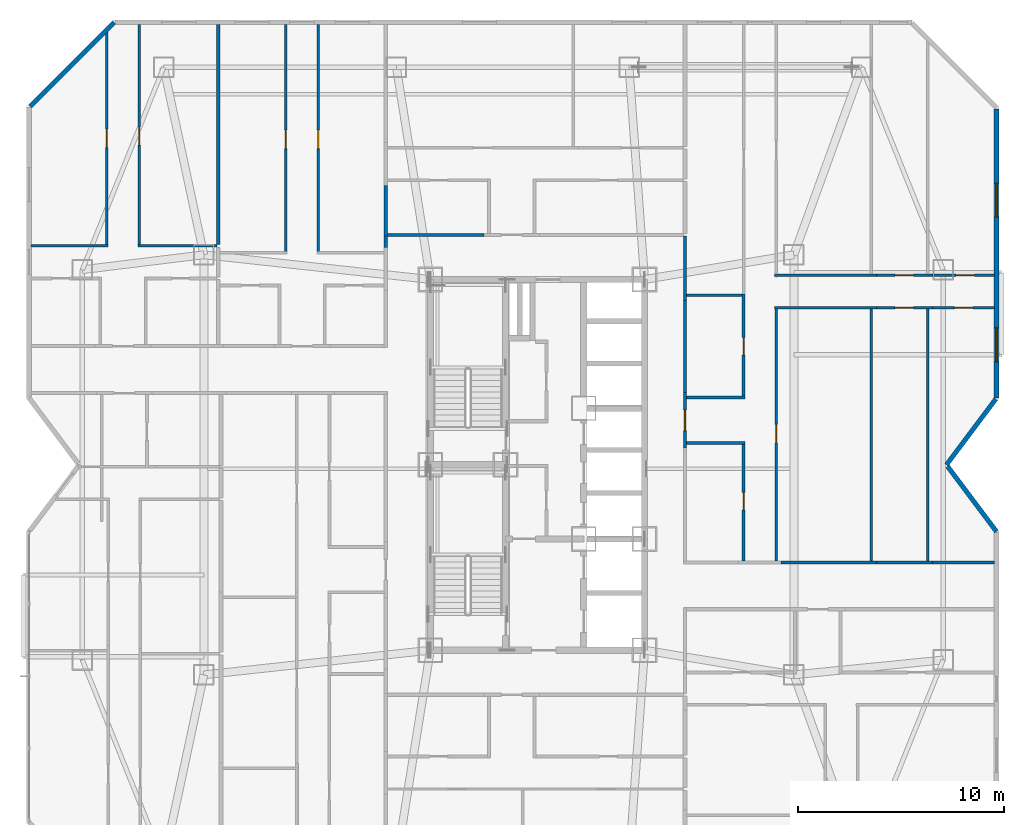
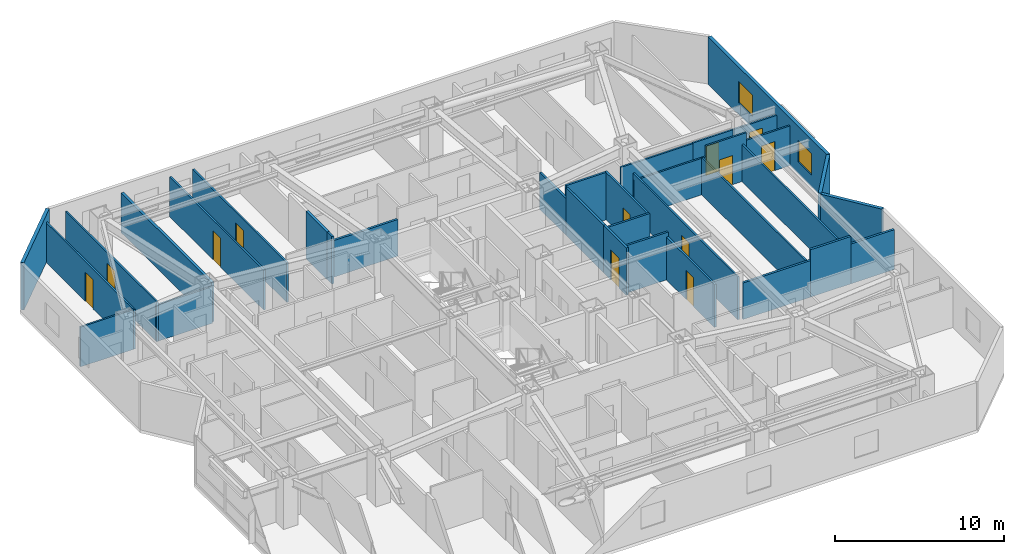
# One storey, part 15 of 18: 34 walls, 12 doors, 2 windows, 14 openings.
"""IFC4 building model written with IfcOpenShell, lengths in metres."""

from ifc_helpers import new_model, si_unit, direction, frame, frame_2d, origin, place, context, subcontext, project, spatial, rectangle, extrude, material, layer, layer_set, type_object, element, fill, save


model = new_model("IFC4")

# Units and contexts
model_context = context("Model", 3, precision=1e-05, world=origin(), true_north=direction((0.0, 1.0)))
body_context = subcontext(model_context, "Body", "Model", "MODEL_VIEW")
ifc_project = project(units=[si_unit("LENGTHUNIT", "METRE"), si_unit("AREAUNIT", "SQUARE_METRE"), si_unit("VOLUMEUNIT", "CUBIC_METRE"), si_unit("PLANEANGLEUNIT", "RADIAN"), si_unit("MASSUNIT", "GRAM", prefix="KILO")], contexts=[model_context])

# Site, building, storey
site_placement = place(None, origin())
site = spatial("IfcSite", under=ifc_project, at=site_placement, CompositionType="ELEMENT")
building_placement = place(site_placement, origin())
building = spatial("IfcBuilding", under=site, at=building_placement, Name="Khamvora Tower", CompositionType="ELEMENT")
storey_placement = place(building_placement, frame((0.0, 0.0, 109.199951171875)))
storey = spatial("IfcBuildingStorey", under=building, at=storey_placement, Name="L27", CompositionType="ELEMENT", Elevation=109.199951171875)

# Walls
ifc_material_1 = material(Name="Fire-Rated Drywall and Steel Stud", Category="steel")
ifc_layer_1 = layer(ifc_material_1, 0.14990234375)
ifc_layer_set_1 = layer_set([ifc_layer_1], Name="Fire-Rated Drywall and Steel Stud")
wall_type_1 = type_object("IfcWallType", Name="WAL-CORR-150", PredefinedType="STANDARD", material=ifc_layer_set_1)
wall_1_placement = place(storey_placement, frame((26.8349609375, 38.54296875, 0.0), z_axis=(0.0, 0.0, 1.0), x_axis=(0.0, 1.0, 0.0)))
element("IfcWall", 1, at=wall_1_placement, inside=storey, type_object=wall_type_1, Name="L27 interior partition wall 024", PredefinedType="STANDARD", context=body_context, shape_type="SweptSolid", body=[
    extrude(rectangle(XDim=0.55712890625, YDim=0.14990234375, at=frame_2d((0.278564453125, 0.0))), origin(), (0.0, 0.0, 1.0), 3.429931640625),
])
wall_2_placement = place(storey_placement, frame((26.89990234375, 39.1650390625, 0.0), z_axis=(0.0, 0.0, 1.0), x_axis=(1.0, 0.0, 0.0)))
element("IfcWall", 2, at=wall_2_placement, inside=storey, type_object=wall_type_1, Name="L27 interior partition wall 029", PredefinedType="STANDARD", context=body_context, shape_type="SweptSolid", body=[
    extrude(rectangle(XDim=4.701171875, YDim=0.14990234375, at=frame_2d((2.3505859375, 0.0))), origin(), (0.0, 0.0, 1.0), 2.64697265625),
])
wall_3_placement = place(storey_placement, frame((41.364990234375, 39.10009765625, 0.0), z_axis=(0.0, 0.0, 1.0), x_axis=(0.0, -1.0, 0.0)))
element("IfcWall", 3, at=wall_3_placement, inside=storey, type_object=wall_type_1, Name="L27 interior partition wall 036", PredefinedType="STANDARD", context=body_context, shape_type="SweptSolid", body=[
    extrude(rectangle(XDim=3.1181640625, YDim=0.14990234375, at=frame_2d((1.55908203125, 0.0))), origin(), (0.0, 0.0, 1.0), 2.64697265625),
])

# Wall, opening, door
wall_4_placement = place(storey_placement, frame((41.364990234375, 31.514892578125, 0.0), z_axis=(0.0, 0.0, 1.0), x_axis=(0.0, -1.0, 0.0)))
wall_4 = element("IfcWall", 4, at=wall_4_placement, inside=storey, type_object=wall_type_1, Name="L27 interior partition wall 037", PredefinedType="STANDARD", context=body_context, shape_type="SweptSolid", body=[
    extrude(rectangle(XDim=2.697998046875, YDim=0.14990234375, at=frame_2d((1.34912109375, 0.0))), origin(), (0.0, 0.0, 1.0), 3.429931640625),
])
opening_1_placement = place(wall_4_placement, frame((0.84912109375, 0.0, 0.0)))
opening_1 = element("IfcOpeningElement", 5, at=opening_1_placement, cuts=wall_4, Name="Opening D-U1", PredefinedType="OPENING", context=body_context, shape_type="SweptSolid", body=[
    extrude(rectangle(XDim=1.0, YDim=2.14990234375, at=frame_2d((0.5, 1.074951171875))), frame((0.0, 0.0849609375, 0.0), z_axis=(0.0, -1.0, 0.0), x_axis=(1.0, 0.0, 0.0)), (0.0, 0.0, 1.0), 0.169921875),
])
ifc_material_2 = material(Name="Powder-Coated Steel and Hardwood Leaf", Category="steel")
door_type_1 = type_object("IfcDoorType", Name="DOR-UNIT-1000", OperationType="NOTDEFINED", PredefinedType="DOOR", material=ifc_material_2)
door_1_placement = place(opening_1_placement, origin())
door_1 = element("IfcDoor", 6, at=door_1_placement, inside=storey, type_object=door_type_1, Name="L27 interior door COR-27EBH", OperationType="SINGLE_SWING_RIGHT", OverallHeight=2.14990234375, OverallWidth=1.0, PredefinedType="DOOR", context=body_context, shape_type="SweptSolid", body=[
    extrude(rectangle(XDim=1.0, YDim=2.14990234375, at=frame_2d((0.5, 1.074951171875))), frame((0.0, 0.02490234375, 0.0), z_axis=(0.0, -1.0, 0.0), x_axis=(1.0, 0.0, 0.0)), (0.0, 0.0, 1.0), 0.050048828125),
])
fill(opening_1, door_1)

# Walls
wall_5_placement = place(storey_placement, frame((41.364990234375, 35.98193359375, 0.0), z_axis=(0.0, 0.0, 1.0), x_axis=(0.0, -1.0, 0.0)))
element("IfcWall", 7, at=wall_5_placement, inside=storey, type_object=wall_type_1, Name="L27 interior partition wall 039", PredefinedType="STANDARD", context=body_context, shape_type="SweptSolid", body=[
    extrude(rectangle(XDim=4.467041015625, YDim=0.14990234375, at=frame_2d((2.2333984375, 0.0))), origin(), (0.0, 0.0, 1.0), 3.429931640625),
])
wall_6_placement = place(storey_placement, frame((46.034912109375, 23.264892578125, 0.0), z_axis=(0.0, 0.0, 1.0), x_axis=(1.0, 0.0, 0.0)))
element("IfcWall", 8, at=wall_6_placement, inside=storey, type_object=wall_type_1, Name="L27 interior partition wall 042", PredefinedType="STANDARD", context=body_context, shape_type="SweptSolid", body=[
    extrude(rectangle(XDim=4.6171875, YDim=0.14990234375, at=frame_2d((2.30859375, 0.0))), origin(), (0.0, 0.0, 1.0), 2.64697265625),
])
wall_7_placement = place(storey_placement, frame((50.652099609375, 23.264892578125, 0.0), z_axis=(0.0, 0.0, 1.0), x_axis=(1.0, 0.0, 0.0)))
element("IfcWall", 9, at=wall_7_placement, inside=storey, type_object=wall_type_1, Name="L27 interior partition wall 043", PredefinedType="STANDARD", context=body_context, shape_type="SweptSolid", body=[
    extrude(rectangle(XDim=2.741943359375, YDim=0.14990234375, at=frame_2d((1.37109375, 0.0))), origin(), (0.0, 0.0, 1.0), 3.429931640625),
])
wall_8_placement = place(storey_placement, frame((53.39404296875, 23.264892578125, 0.0), z_axis=(0.0, 0.0, 1.0), x_axis=(1.0, 0.0, 0.0)))
element("IfcWall", 10, at=wall_8_placement, inside=storey, type_object=wall_type_1, Name="L27 interior partition wall 044", PredefinedType="STANDARD", context=body_context, shape_type="SweptSolid", body=[
    extrude(rectangle(XDim=2.993896484375, YDim=0.14990234375, at=frame_2d((1.4970703125, 0.0))), origin(), (0.0, 0.0, 1.0), 2.8759765625),
])
ifc_material_3 = material(Name="Acoustic Double-Stud Fire Wall", Category="gypsum")
ifc_layer_2 = layer(ifc_material_3, 0.179931640625)
ifc_layer_set_2 = layer_set([ifc_layer_2], Name="Acoustic Double-Stud Fire Wall")
wall_type_2 = type_object("IfcWallType", Name="WAL-CORR-180", PredefinedType="STANDARD", material=ifc_layer_set_2)
wall_9_placement = place(storey_placement, frame((18.705078125, 49.387939453125, 0.0), z_axis=(0.0, 0.0, 1.0), x_axis=(0.0, -1.0, 0.0)))
element("IfcWall", 11, at=wall_9_placement, inside=storey, type_object=wall_type_2, Name="L27 interior partition wall 088", PredefinedType="STANDARD", context=body_context, shape_type="SweptSolid", body=[
    extrude(rectangle(XDim=10.68896484375, YDim=0.179931640625, at=frame_2d((5.344482421875, 0.0))), origin(), (0.0, 0.0, 1.0), 2.8759765625),
])
wall_10_placement = place(storey_placement, frame((26.8349609375, 41.572998046875, 0.0), z_axis=(0.0, 0.0, 1.0), x_axis=(0.0, -1.0, 0.0)))
element("IfcWall", 12, at=wall_10_placement, inside=storey, type_object=wall_type_2, Name="L27 interior partition wall 098", PredefinedType="STANDARD", context=body_context, shape_type="SweptSolid", body=[
    extrude(rectangle(XDim=2.472900390625, YDim=0.179931640625, at=frame_2d((1.236328125, 0.0))), origin(), (0.0, 0.0, 1.0), 3.429931640625),
])
ifc_material_4 = material(Name="Precast concrete C40/50", Category="concrete")
ifc_layer_3 = layer(ifc_material_4, 0.219970703125)
ifc_layer_set_3 = layer_set([ifc_layer_3], Name="Precast concrete C40/50")
wall_type_3 = type_object("IfcWallType", Name="WAL-EXT-220", PredefinedType="STANDARD", material=ifc_layer_set_3)
wall_11_placement = place(storey_placement, frame((9.55810546875, 45.402099609375, 0.0), z_axis=(0.0, 0.0, 1.0), x_axis=(0.707106781187, 0.707106781187, 0.0)))
element("IfcWall", 13, at=wall_11_placement, inside=storey, type_object=wall_type_3, Name="L27 exterior facade wall 06.1", PredefinedType="STANDARD", context=body_context, shape_type="SweptSolid", body=[
    extrude(rectangle(XDim=5.78125, YDim=0.219970703125, at=frame_2d((2.890625, 0.0))), origin(), (0.0, 0.0, 1.0), 3.429931640625),
])

# Wall, openings, windows
wall_12_placement = place(storey_placement, frame((56.489990234375, 45.282958984375, 0.0), z_axis=(0.0, 0.0, 1.0), x_axis=(0.0, -1.0, 0.0)))
wall_12 = element("IfcWall", 14, at=wall_12_placement, inside=storey, type_object=wall_type_3, Name="L27 exterior facade wall 09.1", PredefinedType="STANDARD", context=body_context, shape_type="SweptSolid", body=[
    extrude(rectangle(XDim=14.0458984375, YDim=0.219970703125, at=frame_2d((7.02294921875, 0.0))), origin(), (0.0, 0.0, 1.0), 3.429931640625),
])
opening_2_placement = place(wall_12_placement, frame((10.635009765625, 0.0, 0.85009765625)))
opening_2 = element("IfcOpeningElement", 15, at=opening_2_placement, cuts=wall_12, Name="Opening WN-06", PredefinedType="OPENING", context=body_context, shape_type="SweptSolid", body=[
    extrude(rectangle(XDim=1.64990234375, YDim=1.550048828125, at=frame_2d((0.824951171875, 0.77490234375))), frame((0.0, 0.119873046875, 0.0), z_axis=(0.0, -1.0, 0.0), x_axis=(1.0, 0.0, 0.0)), (0.0, 0.0, 1.0), 0.239990234375),
])
opening_3_placement = place(wall_12_placement, frame((3.611083984375, 0.0, 0.85009765625)))
opening_3 = element("IfcOpeningElement", 16, at=opening_3_placement, cuts=wall_12, Name="Opening WN-06", PredefinedType="OPENING", context=body_context, shape_type="SweptSolid", body=[
    extrude(rectangle(XDim=1.64990234375, YDim=1.550048828125, at=frame_2d((0.824951171875, 0.77490234375))), frame((0.0, 0.119873046875, 0.0), z_axis=(0.0, -1.0, 0.0), x_axis=(1.0, 0.0, 0.0)), (0.0, 0.0, 1.0), 0.239990234375),
])
ifc_material_5 = material(Name="Low-E Laminated Double Glazing", Category="glass")
window_type = type_object("IfcWindowType", Name="WIN-VIS-1650x1550", PartitioningType="SINGLE_PANEL", PredefinedType="WINDOW", material=ifc_material_5)
window_1_placement = place(opening_2_placement, origin())
window_1 = element("IfcWindow", 17, at=window_1_placement, inside=storey, type_object=window_type, Name="L27 vision window 09.1.01", OverallHeight=1.550048828125, OverallWidth=1.64990234375, PartitioningType="SINGLE_PANEL", PredefinedType="WINDOW", context=body_context, shape_type="SweptSolid", body=[
    extrude(rectangle(XDim=1.64990234375, YDim=1.550048828125, at=frame_2d((0.824951171875, 0.77490234375))), frame((0.0, 0.030029296875, 0.0), z_axis=(0.0, -1.0, 0.0), x_axis=(1.0, 0.0, 0.0)), (0.0, 0.0, 1.0), 0.06005859375),
])
fill(opening_2, window_1)
window_2_placement = place(opening_3_placement, origin())
window_2 = element("IfcWindow", 18, at=window_2_placement, inside=storey, type_object=window_type, Name="L27 vision window 09.1.02", OverallHeight=1.550048828125, OverallWidth=1.64990234375, PartitioningType="SINGLE_PANEL", PredefinedType="WINDOW", context=body_context, shape_type="SweptSolid", body=[
    extrude(rectangle(XDim=1.64990234375, YDim=1.550048828125, at=frame_2d((0.824951171875, 0.77490234375))), frame((0.0, 0.030029296875, 0.0), z_axis=(0.0, -1.0, 0.0), x_axis=(1.0, 0.0, 0.0)), (0.0, 0.0, 1.0), 0.06005859375),
])
fill(opening_3, window_2)

# Walls
wall_13_placement = place(storey_placement, frame((56.4560546875, 31.19091796875, 0.0), z_axis=(0.0, 0.0, 1.0), x_axis=(-0.600137081448, -0.799897170561, 0.0)))
element("IfcWall", 19, at=wall_13_placement, inside=storey, type_object=wall_type_3, Name="L27 exterior facade wall 10.1", PredefinedType="STANDARD", context=body_context, shape_type="SweptSolid", body=[
    extrude(rectangle(XDim=3.9892578125, YDim=0.219970703125, at=frame_2d((1.99462890625, 0.0))), origin(), (0.0, 0.0, 1.0), 3.429931640625),
])
wall_14_placement = place(storey_placement, frame((54.118896484375, 27.924072265625, 0.0), z_axis=(0.0, 0.0, 1.0), x_axis=(0.600039540588, -0.799970343032, 0.0)))
element("IfcWall", 20, at=wall_14_placement, inside=storey, type_object=wall_type_3, Name="L27 exterior facade wall 11.1", PredefinedType="STANDARD", context=body_context, shape_type="SweptSolid", body=[
    extrude(rectangle(XDim=3.95166015625, YDim=0.219970703125, at=frame_2d((1.975830078125, 0.0))), origin(), (0.0, 0.0, 1.0), 3.429931640625),
])
ifc_material_6 = material(Name="Gypsum Plasterboard Partition", Category="gypsum")
ifc_layer_4 = layer(ifc_material_6, 0.1201171875)
ifc_layer_set_4 = layer_set([ifc_layer_4], Name="Gypsum Plasterboard Partition")
wall_type_4 = type_object("IfcWallType", Name="WAL-PART-120", PredefinedType="PARTITIONING", material=ifc_layer_set_4)
wall_15_placement = place(storey_placement, frame((9.612060546875, 38.634033203125, 0.0), z_axis=(0.0, 0.0, 1.0), x_axis=(1.0, 0.0, 0.0)))
element("IfcWall", 21, at=wall_15_placement, inside=storey, type_object=wall_type_4, Name="L27 interior partition wall 081", PredefinedType="PARTITIONING", context=body_context, shape_type="SweptSolid", body=[
    extrude(rectangle(XDim=3.742919921875, YDim=0.1201171875, at=frame_2d((1.87158203125, 0.0))), origin(), (0.0, 0.0, 1.0), 2.8759765625),
])

# Wall, opening, door
wall_16_placement = place(storey_placement, frame((13.2900390625, 38.569091796875, 0.0), z_axis=(0.0, 0.0, 1.0), x_axis=(0.0, 1.0, 0.0)))
wall_16 = element("IfcWall", 22, at=wall_16_placement, inside=storey, type_object=wall_type_4, Name="L27 interior partition wall 082", PredefinedType="PARTITIONING", context=body_context, shape_type="SweptSolid", body=[
    extrude(rectangle(XDim=10.573974609375, YDim=0.1201171875, at=frame_2d((5.287109375, 0.0))), origin(), (0.0, 0.0, 1.0), 2.8759765625),
])
opening_4_placement = place(wall_16_placement, frame((4.8369140625, 0.0, 0.0)))
opening_4 = element("IfcOpeningElement", 23, at=opening_4_placement, cuts=wall_16, Name="Opening D-RM1", PredefinedType="OPENING", context=body_context, shape_type="SweptSolid", body=[
    extrude(rectangle(XDim=0.89990234375, YDim=2.10009765625, at=frame_2d((0.449951171875, 1.050048828125))), frame((0.0, 0.070068359375, 0.0), z_axis=(0.0, -1.0, 0.0), x_axis=(1.0, 0.0, 0.0)), (0.0, 0.0, 1.0), 0.14013671875),
])
door_type_2 = type_object("IfcDoorType", Name="DOR-ROOM-900", OperationType="NOTDEFINED", PredefinedType="DOOR", material=ifc_material_2)
door_2_placement = place(opening_4_placement, origin())
door_2 = element("IfcDoor", 24, at=door_2_placement, inside=storey, type_object=door_type_2, Name="L27 interior door 27WBH-27WBL", OperationType="SINGLE_SWING_LEFT", OverallHeight=2.10009765625, OverallWidth=0.89990234375, PredefinedType="DOOR", context=body_context, shape_type="SweptSolid", body=[
    extrude(rectangle(XDim=0.89990234375, YDim=2.10009765625, at=frame_2d((0.449951171875, 1.050048828125))), frame((0.0, 0.02490234375, 0.0), z_axis=(0.0, -1.0, 0.0), x_axis=(1.0, 0.0, 0.0)), (0.0, 0.0, 1.0), 0.050048828125),
])
fill(opening_4, door_2)

wall_17_placement = place(storey_placement, frame((14.860107421875, 49.387939453125, 0.0), z_axis=(0.0, 0.0, 1.0), x_axis=(0.0, -1.0, 0.0)))
wall_17 = element("IfcWall", 25, at=wall_17_placement, inside=storey, type_object=wall_type_4, Name="L27 interior partition wall 083", PredefinedType="PARTITIONING", context=body_context, shape_type="SweptSolid", body=[
    extrude(rectangle(XDim=10.81884765625, YDim=0.1201171875, at=frame_2d((5.409423828125, 0.0))), origin(), (0.0, 0.0, 1.0), 2.8759765625),
])
opening_5_placement = place(wall_17_placement, frame((4.9599609375, 0.0, 0.0)))
opening_5 = element("IfcOpeningElement", 26, at=opening_5_placement, cuts=wall_17, Name="Opening D-RM1", PredefinedType="OPENING", context=body_context, shape_type="SweptSolid", body=[
    extrude(rectangle(XDim=0.89990234375, YDim=2.10009765625, at=frame_2d((0.449951171875, 1.050048828125))), frame((0.0, 0.070068359375, 0.0), z_axis=(0.0, -1.0, 0.0), x_axis=(1.0, 0.0, 0.0)), (0.0, 0.0, 1.0), 0.14013671875),
])
door_3_placement = place(opening_5_placement, origin())
door_3 = element("IfcDoor", 27, at=door_3_placement, inside=storey, type_object=door_type_2, Name="L27 interior door 27WBH-27WBR2", OperationType="SINGLE_SWING_RIGHT", OverallHeight=2.10009765625, OverallWidth=0.89990234375, PredefinedType="DOOR", context=body_context, shape_type="SweptSolid", body=[
    extrude(rectangle(XDim=0.89990234375, YDim=2.10009765625, at=frame_2d((0.449951171875, 1.050048828125))), frame((0.0, 0.02490234375, 0.0), z_axis=(0.0, -1.0, 0.0), x_axis=(1.0, 0.0, 0.0)), (0.0, 0.0, 1.0), 0.050048828125),
])
fill(opening_5, door_3)

# Wall
wall_18_placement = place(storey_placement, frame((14.794921875, 38.634033203125, 0.0), z_axis=(0.0, 0.0, 1.0), x_axis=(1.0, 0.0, 0.0)))
element("IfcWall", 28, at=wall_18_placement, inside=storey, type_object=wall_type_4, Name="L27 interior partition wall 084", PredefinedType="PARTITIONING", context=body_context, shape_type="SweptSolid", body=[
    extrude(rectangle(XDim=3.844970703125, YDim=0.1201171875, at=frame_2d((1.92236328125, 0.0))), origin(), (0.0, 0.0, 1.0), 2.64697265625),
])

# Wall, opening, door
wall_19_placement = place(storey_placement, frame((21.985107421875, 38.22900390625, 0.0), z_axis=(0.0, 0.0, 1.0), x_axis=(0.0, 1.0, 0.0)))
wall_19 = element("IfcWall", 29, at=wall_19_placement, inside=storey, type_object=wall_type_4, Name="L27 interior partition wall 094", PredefinedType="PARTITIONING", context=body_context, shape_type="SweptSolid", body=[
    extrude(rectangle(XDim=11.158935546875, YDim=0.1201171875, at=frame_2d((5.57958984375, 0.0))), origin(), (0.0, 0.0, 1.0), 2.8759765625),
])
opening_6_placement = place(wall_19_placement, frame((5.1298828125, 0.0, 0.0)))
opening_6 = element("IfcOpeningElement", 30, at=opening_6_placement, cuts=wall_19, Name="Opening D-RM1", PredefinedType="OPENING", context=body_context, shape_type="SweptSolid", body=[
    extrude(rectangle(XDim=0.89990234375, YDim=2.10009765625, at=frame_2d((0.449951171875, 1.050048828125))), frame((0.0, 0.070068359375, 0.0), z_axis=(0.0, -1.0, 0.0), x_axis=(1.0, 0.0, 0.0)), (0.0, 0.0, 1.0), 0.14013671875),
])
door_4_placement = place(opening_6_placement, origin())
door_4 = element("IfcDoor", 31, at=door_4_placement, inside=storey, type_object=door_type_2, Name="L27 interior door 27WCH-27WCR1", OperationType="SINGLE_SWING_LEFT", OverallHeight=2.10009765625, OverallWidth=0.89990234375, PredefinedType="DOOR", context=body_context, shape_type="SweptSolid", body=[
    extrude(rectangle(XDim=0.89990234375, YDim=2.10009765625, at=frame_2d((0.449951171875, 1.050048828125))), frame((0.0, 0.02490234375, 0.0), z_axis=(0.0, -1.0, 0.0), x_axis=(1.0, 0.0, 0.0)), (0.0, 0.0, 1.0), 0.050048828125),
])
fill(opening_6, door_4)

wall_20_placement = place(storey_placement, frame((23.554931640625, 49.387939453125, 0.0), z_axis=(0.0, 0.0, 1.0), x_axis=(0.0, -1.0, 0.0)))
wall_20 = element("IfcWall", 32, at=wall_20_placement, inside=storey, type_object=wall_type_4, Name="L27 interior partition wall 095", PredefinedType="PARTITIONING", context=body_context, shape_type="SweptSolid", body=[
    extrude(rectangle(XDim=11.158935546875, YDim=0.1201171875, at=frame_2d((5.57958984375, 0.0))), origin(), (0.0, 0.0, 1.0), 2.8759765625),
])
opening_7_placement = place(wall_20_placement, frame((5.1298828125, 0.0, 0.0)))
opening_7 = element("IfcOpeningElement", 33, at=opening_7_placement, cuts=wall_20, Name="Opening D-RM1", PredefinedType="OPENING", context=body_context, shape_type="SweptSolid", body=[
    extrude(rectangle(XDim=0.89990234375, YDim=2.10009765625, at=frame_2d((0.449951171875, 1.050048828125))), frame((0.0, 0.070068359375, 0.0), z_axis=(0.0, -1.0, 0.0), x_axis=(1.0, 0.0, 0.0)), (0.0, 0.0, 1.0), 0.14013671875),
])
door_5_placement = place(opening_7_placement, origin())
door_5 = element("IfcDoor", 34, at=door_5_placement, inside=storey, type_object=door_type_2, Name="L27 interior door 27WCH-27WCR2", OperationType="SINGLE_SWING_RIGHT", OverallHeight=2.10009765625, OverallWidth=0.89990234375, PredefinedType="DOOR", context=body_context, shape_type="SweptSolid", body=[
    extrude(rectangle(XDim=0.89990234375, YDim=2.10009765625, at=frame_2d((0.449951171875, 1.050048828125))), frame((0.0, 0.02490234375, 0.0), z_axis=(0.0, -1.0, 0.0), x_axis=(1.0, 0.0, 0.0)), (0.0, 0.0, 1.0), 0.050048828125),
])
fill(opening_7, door_5)

wall_21_placement = place(storey_placement, frame((45.785888671875, 35.68994140625, 0.0), z_axis=(0.0, 0.0, 1.0), x_axis=(0.0, -1.0, 0.0)))
wall_21 = element("IfcWall", 35, at=wall_21_placement, inside=storey, type_object=wall_type_4, Name="L27 interior partition wall 138", PredefinedType="PARTITIONING", context=body_context, shape_type="SweptSolid", body=[
    extrude(rectangle(XDim=12.35791015625, YDim=0.1201171875, at=frame_2d((6.178955078125, 0.0))), origin(), (0.0, 0.0, 1.0), 3.10693359375),
])
opening_8_placement = place(wall_21_placement, frame((5.72900390625, 0.0, 0.0)))
opening_8 = element("IfcOpeningElement", 36, at=opening_8_placement, cuts=wall_21, Name="Opening D-RM1", PredefinedType="OPENING", context=body_context, shape_type="SweptSolid", body=[
    extrude(rectangle(XDim=0.89990234375, YDim=2.10009765625, at=frame_2d((0.449951171875, 1.050048828125))), frame((0.0, 0.070068359375, 0.0), z_axis=(0.0, -1.0, 0.0), x_axis=(1.0, 0.0, 0.0)), (0.0, 0.0, 1.0), 0.14013671875),
])
door_6_placement = place(opening_8_placement, origin())
door_6 = element("IfcDoor", 37, at=door_6_placement, inside=storey, type_object=door_type_2, Name="L27 interior door 27EBH-27EBR1", OperationType="SINGLE_SWING_LEFT", OverallHeight=2.10009765625, OverallWidth=0.89990234375, PredefinedType="DOOR", context=body_context, shape_type="SweptSolid", body=[
    extrude(rectangle(XDim=0.89990234375, YDim=2.10009765625, at=frame_2d((0.449951171875, 1.050048828125))), frame((0.0, 0.02490234375, 0.0), z_axis=(0.0, -1.0, 0.0), x_axis=(1.0, 0.0, 0.0)), (0.0, 0.0, 1.0), 0.050048828125),
])
fill(opening_8, door_6)

# Wall
wall_22_placement = place(storey_placement, frame((50.652099609375, 35.625, 0.0), z_axis=(0.0, 0.0, 1.0), x_axis=(-1.0, 0.0, 0.0)))
element("IfcWall", 38, at=wall_22_placement, inside=storey, type_object=wall_type_4, Name="L27 interior partition wall 139", PredefinedType="PARTITIONING", context=body_context, shape_type="SweptSolid", body=[
    extrude(rectangle(XDim=4.93115234375, YDim=0.1201171875, at=frame_2d((2.465576171875, 0.0))), origin(), (0.0, 0.0, 1.0), 2.64697265625),
])

# Wall, opening, door
wall_23_placement = place(storey_placement, frame((53.39404296875, 35.625, 0.0), z_axis=(0.0, 0.0, 1.0), x_axis=(-1.0, 0.0, 0.0)))
wall_23 = element("IfcWall", 39, at=wall_23_placement, inside=storey, type_object=wall_type_4, Name="L27 interior partition wall 140", PredefinedType="PARTITIONING", context=body_context, shape_type="SweptSolid", body=[
    extrude(rectangle(XDim=2.741943359375, YDim=0.1201171875, at=frame_2d((1.37109375, 0.0))), origin(), (0.0, 0.0, 1.0), 3.429931640625),
])
opening_9_placement = place(wall_23_placement, frame((0.94189453125, 0.0, 0.0)))
opening_9 = element("IfcOpeningElement", 40, at=opening_9_placement, cuts=wall_23, Name="Opening D-RM1", PredefinedType="OPENING", context=body_context, shape_type="SweptSolid", body=[
    extrude(rectangle(XDim=0.89990234375, YDim=2.10009765625, at=frame_2d((0.449951171875, 1.050048828125))), frame((0.0, 0.070068359375, 0.0), z_axis=(0.0, -1.0, 0.0), x_axis=(1.0, 0.0, 0.0)), (0.0, 0.0, 1.0), 0.14013671875),
])
door_7_placement = place(opening_9_placement, origin())
door_7 = element("IfcDoor", 41, at=door_7_placement, inside=storey, type_object=door_type_2, Name="L27 interior door 27EBH-27EBR2", OperationType="SINGLE_SWING_RIGHT", OverallHeight=2.10009765625, OverallWidth=0.89990234375, PredefinedType="DOOR", context=body_context, shape_type="SweptSolid", body=[
    extrude(rectangle(XDim=0.89990234375, YDim=2.10009765625, at=frame_2d((0.449951171875, 1.050048828125))), frame((0.0, 0.02490234375, 0.0), z_axis=(0.0, -1.0, 0.0), x_axis=(1.0, 0.0, 0.0)), (0.0, 0.0, 1.0), 0.050048828125),
])
fill(opening_9, door_7)

wall_24_placement = place(storey_placement, frame((56.387939453125, 35.625, 0.0), z_axis=(0.0, 0.0, 1.0), x_axis=(-1.0, 0.0, 0.0)))
wall_24 = element("IfcWall", 42, at=wall_24_placement, inside=storey, type_object=wall_type_4, Name="L27 interior partition wall 141", PredefinedType="PARTITIONING", context=body_context, shape_type="SweptSolid", body=[
    extrude(rectangle(XDim=2.993896484375, YDim=0.1201171875, at=frame_2d((1.4970703125, 0.0))), origin(), (0.0, 0.0, 1.0), 2.8759765625),
])
opening_10_placement = place(wall_24_placement, frame((1.047119140625, 0.0, 0.0)))
opening_10 = element("IfcOpeningElement", 43, at=opening_10_placement, cuts=wall_24, Name="Opening D-RM1", PredefinedType="OPENING", context=body_context, shape_type="SweptSolid", body=[
    extrude(rectangle(XDim=0.89990234375, YDim=2.10009765625, at=frame_2d((0.449951171875, 1.050048828125))), frame((0.0, 0.070068359375, 0.0), z_axis=(0.0, -1.0, 0.0), x_axis=(1.0, 0.0, 0.0)), (0.0, 0.0, 1.0), 0.14013671875),
])
door_8_placement = place(opening_10_placement, origin())
door_8 = element("IfcDoor", 44, at=door_8_placement, inside=storey, type_object=door_type_2, Name="L27 interior door 27EBH-27EBR3", OperationType="SINGLE_SWING_LEFT", OverallHeight=2.10009765625, OverallWidth=0.89990234375, PredefinedType="DOOR", context=body_context, shape_type="SweptSolid", body=[
    extrude(rectangle(XDim=0.89990234375, YDim=2.10009765625, at=frame_2d((0.449951171875, 1.050048828125))), frame((0.0, 0.02490234375, 0.0), z_axis=(0.0, -1.0, 0.0), x_axis=(1.0, 0.0, 0.0)), (0.0, 0.0, 1.0), 0.050048828125),
])
fill(opening_10, door_8)

# Wall
wall_25_placement = place(storey_placement, frame((45.720947265625, 37.195068359375, 0.0), z_axis=(0.0, 0.0, 1.0), x_axis=(1.0, 0.0, 0.0)))
element("IfcWall", 45, at=wall_25_placement, inside=storey, type_object=wall_type_4, Name="L27 interior partition wall 143", PredefinedType="PARTITIONING", context=body_context, shape_type="SweptSolid", body=[
    extrude(rectangle(XDim=4.93115234375, YDim=0.1201171875, at=frame_2d((2.465576171875, 0.0))), origin(), (0.0, 0.0, 1.0), 2.64697265625),
])

# Wall, opening, door
wall_26_placement = place(storey_placement, frame((50.652099609375, 37.195068359375, 0.0), z_axis=(0.0, 0.0, 1.0), x_axis=(1.0, 0.0, 0.0)))
wall_26 = element("IfcWall", 46, at=wall_26_placement, inside=storey, type_object=wall_type_4, Name="L27 interior partition wall 144", PredefinedType="PARTITIONING", context=body_context, shape_type="SweptSolid", body=[
    extrude(rectangle(XDim=2.741943359375, YDim=0.1201171875, at=frame_2d((1.37109375, 0.0))), origin(), (0.0, 0.0, 1.0), 2.68701171875),
])
opening_11_placement = place(wall_26_placement, frame((0.89990234375, 0.0, 0.0)))
opening_11 = element("IfcOpeningElement", 47, at=opening_11_placement, cuts=wall_26, Name="Opening D-RM1", PredefinedType="OPENING", context=body_context, shape_type="SweptSolid", body=[
    extrude(rectangle(XDim=0.89990234375, YDim=2.10009765625, at=frame_2d((0.449951171875, 1.050048828125))), frame((0.0, 0.070068359375, 0.0), z_axis=(0.0, -1.0, 0.0), x_axis=(1.0, 0.0, 0.0)), (0.0, 0.0, 1.0), 0.14013671875),
])
door_9_placement = place(opening_11_placement, origin())
door_9 = element("IfcDoor", 48, at=door_9_placement, inside=storey, type_object=door_type_2, Name="L27 interior door 27EBH-27EBR5", OperationType="SINGLE_SWING_LEFT", OverallHeight=2.10009765625, OverallWidth=0.89990234375, PredefinedType="DOOR", context=body_context, shape_type="SweptSolid", body=[
    extrude(rectangle(XDim=0.89990234375, YDim=2.10009765625, at=frame_2d((0.449951171875, 1.050048828125))), frame((0.0, 0.02490234375, 0.0), z_axis=(0.0, -1.0, 0.0), x_axis=(1.0, 0.0, 0.0)), (0.0, 0.0, 1.0), 0.050048828125),
])
fill(opening_11, door_9)

wall_27_placement = place(storey_placement, frame((53.39404296875, 37.195068359375, 0.0), z_axis=(0.0, 0.0, 1.0), x_axis=(1.0, 0.0, 0.0)))
wall_27 = element("IfcWall", 49, at=wall_27_placement, inside=storey, type_object=wall_type_4, Name="L27 interior partition wall 145", PredefinedType="PARTITIONING", context=body_context, shape_type="SweptSolid", body=[
    extrude(rectangle(XDim=2.993896484375, YDim=0.1201171875, at=frame_2d((1.4970703125, 0.0))), origin(), (0.0, 0.0, 1.0), 2.68701171875),
])
opening_12_placement = place(wall_27_placement, frame((1.123046875, 0.0, 0.0)))
opening_12 = element("IfcOpeningElement", 50, at=opening_12_placement, cuts=wall_27, Name="Opening D-RM1", PredefinedType="OPENING", context=body_context, shape_type="SweptSolid", body=[
    extrude(rectangle(XDim=0.89990234375, YDim=2.10009765625, at=frame_2d((0.449951171875, 1.050048828125))), frame((0.0, 0.070068359375, 0.0), z_axis=(0.0, -1.0, 0.0), x_axis=(1.0, 0.0, 0.0)), (0.0, 0.0, 1.0), 0.14013671875),
])
door_10_placement = place(opening_12_placement, origin())
door_10 = element("IfcDoor", 51, at=door_10_placement, inside=storey, type_object=door_type_2, Name="L27 interior door 27EBH-27EBR6", OperationType="SINGLE_SWING_RIGHT", OverallHeight=2.10009765625, OverallWidth=0.89990234375, PredefinedType="DOOR", context=body_context, shape_type="SweptSolid", body=[
    extrude(rectangle(XDim=0.89990234375, YDim=2.10009765625, at=frame_2d((0.449951171875, 1.050048828125))), frame((0.0, 0.02490234375, 0.0), z_axis=(0.0, -1.0, 0.0), x_axis=(1.0, 0.0, 0.0)), (0.0, 0.0, 1.0), 0.050048828125),
])
fill(opening_12, door_10)

# Walls
for number, where, z_axis, x_axis, name in (
    (52, (50.403076171875, 35.571044921875, 0.0), (0.0, 0.0, 1.0), (0.0, -1.0, 0.0), "L27 interior partition wall 146"),
    (53, (53.14501953125, 35.571044921875, 0.0), (0.0, 0.0, 1.0), (0.0, -1.0, 0.0), "L27 interior partition wall 147"),
):
    element("IfcWall", number, at=place(storey_placement, frame(where, z_axis=z_axis, x_axis=x_axis)), inside=storey, type_object=wall_type_4, Name=name, PredefinedType="PARTITIONING", context=body_context, shape_type="SweptSolid", body=[
        extrude(rectangle(XDim=12.239013671875, YDim=0.1201171875, at=frame_2d((6.11962890625, 0.0))), origin(), (0.0, 0.0, 1.0), 2.68701171875),
    ])
ifc_material_7 = material(Name="Moisture-Resistant Plasterboard Partition", Category="gypsum")
ifc_layer_5 = layer(ifc_material_7, 0.135009765625)
ifc_layer_set_5 = layer_set([ifc_layer_5], Name="Moisture-Resistant Plasterboard Partition")
wall_type_5 = type_object("IfcWallType", Name="WAL-WET-135", PredefinedType="PARTITIONING", material=ifc_layer_set_5)
wall_28_placement = place(storey_placement, frame((44.14111328125, 36.23095703125, 0.0), z_axis=(0.0, 0.0, 1.0), x_axis=(-1.0, 0.0, 0.0)))
element("IfcWall", 54, at=wall_28_placement, inside=storey, type_object=wall_type_5, Name="L27 interior partition wall 133", PredefinedType="PARTITIONING", context=body_context, shape_type="SweptSolid", body=[
    extrude(rectangle(XDim=2.709228515625, YDim=0.135009765625, at=frame_2d((1.3544921875, 0.0))), origin(), (0.0, 0.0, 1.0), 3.429931640625),
])
wall_29_placement = place(storey_placement, frame((41.431884765625, 31.26611328125, 0.0), z_axis=(0.0, 0.0, 1.0), x_axis=(1.0, 0.0, 0.0)))
element("IfcWall", 55, at=wall_29_placement, inside=storey, type_object=wall_type_5, Name="L27 interior partition wall 134", PredefinedType="PARTITIONING", context=body_context, shape_type="SweptSolid", body=[
    extrude(rectangle(XDim=2.839111328125, YDim=0.135009765625, at=frame_2d((1.41943359375, 0.0))), origin(), (0.0, 0.0, 1.0), 3.429931640625),
])

# Wall, opening, door
wall_30_placement = place(storey_placement, frame((44.2060546875, 31.200927734375, 0.0), z_axis=(0.0, 0.0, 1.0), x_axis=(0.0, 1.0, 0.0)))
wall_30 = element("IfcWall", 56, at=wall_30_placement, inside=storey, type_object=wall_type_5, Name="L27 interior partition wall 135", PredefinedType="PARTITIONING", context=body_context, shape_type="SweptSolid", body=[
    extrude(rectangle(XDim=5.094970703125, YDim=0.135009765625, at=frame_2d((2.54736328125, 0.0))), origin(), (0.0, 0.0, 1.0), 3.429931640625),
])
opening_13_placement = place(wall_30_placement, frame((2.123046875, 0.0, 0.0)))
opening_13 = element("IfcOpeningElement", 57, at=opening_13_placement, cuts=wall_30, Name="Opening D-WC1", PredefinedType="OPENING", context=body_context, shape_type="SweptSolid", body=[
    extrude(rectangle(XDim=0.85009765625, YDim=2.10009765625, at=frame_2d((0.425048828125, 1.050048828125))), frame((0.0, 0.077392578125, 0.0), z_axis=(0.0, -1.0, 0.0), x_axis=(1.0, 0.0, 0.0)), (0.0, 0.0, 1.0), 0.155029296875),
])
door_type_3 = type_object("IfcDoorType", Name="DOR-WET-850", OperationType="NOTDEFINED", PredefinedType="DOOR", material=ifc_material_2)
door_11_placement = place(opening_13_placement, origin())
door_11 = element("IfcDoor", 58, at=door_11_placement, inside=storey, type_object=door_type_3, Name="L27 interior door 27EBH-27EBB", OperationType="SINGLE_SWING_LEFT", OverallHeight=2.10009765625, OverallWidth=0.85009765625, PredefinedType="DOOR", context=body_context, shape_type="SweptSolid", body=[
    extrude(rectangle(XDim=0.85009765625, YDim=2.10009765625, at=frame_2d((0.425048828125, 1.050048828125))), frame((0.0, 0.02490234375, 0.0), z_axis=(0.0, -1.0, 0.0), x_axis=(1.0, 0.0, 0.0)), (0.0, 0.0, 1.0), 0.050048828125),
])
fill(opening_13, door_11)

wall_31_placement = place(storey_placement, frame((44.2060546875, 23.33203125, 0.0), z_axis=(0.0, 0.0, 1.0), x_axis=(0.0, 1.0, 0.0)))
wall_31 = element("IfcWall", 59, at=wall_31_placement, inside=storey, type_object=wall_type_5, Name="L27 interior partition wall 136", PredefinedType="PARTITIONING", context=body_context, shape_type="SweptSolid", body=[
    extrude(rectangle(XDim=5.799072265625, YDim=0.135009765625, at=frame_2d((2.8994140625, 0.0))), origin(), (0.0, 0.0, 1.0), 3.10693359375),
])
opening_14_placement = place(wall_31_placement, frame((2.47509765625, 0.0, 0.0)))
opening_14 = element("IfcOpeningElement", 60, at=opening_14_placement, cuts=wall_31, Name="Opening D-RM2", PredefinedType="OPENING", context=body_context, shape_type="SweptSolid", body=[
    extrude(rectangle(XDim=0.85009765625, YDim=2.10009765625, at=frame_2d((0.425048828125, 1.050048828125))), frame((0.0, 0.077392578125, 0.0), z_axis=(0.0, -1.0, 0.0), x_axis=(1.0, 0.0, 0.0)), (0.0, 0.0, 1.0), 0.155029296875),
])
door_type_4 = type_object("IfcDoorType", Name="DOR-ROOM-850", OperationType="NOTDEFINED", PredefinedType="DOOR", material=ifc_material_2)
door_12_placement = place(opening_14_placement, origin())
door_12 = element("IfcDoor", 61, at=door_12_placement, inside=storey, type_object=door_type_4, Name="L27 interior door 27EBH-27EBK", OperationType="SINGLE_SWING_RIGHT", OverallHeight=2.10009765625, OverallWidth=0.85009765625, PredefinedType="DOOR", context=body_context, shape_type="SweptSolid", body=[
    extrude(rectangle(XDim=0.85009765625, YDim=2.10009765625, at=frame_2d((0.425048828125, 1.050048828125))), frame((0.0, 0.02490234375, 0.0), z_axis=(0.0, -1.0, 0.0), x_axis=(1.0, 0.0, 0.0)), (0.0, 0.0, 1.0), 0.050048828125),
])
fill(opening_14, door_12)

# Wall
wall_32_placement = place(storey_placement, frame((44.27099609375, 29.06591796875, 0.0), z_axis=(0.0, 0.0, 1.0), x_axis=(-1.0, 0.0, 0.0)))
element("IfcWall", 62, at=wall_32_placement, inside=storey, type_object=wall_type_5, Name="L27 interior partition wall 137", PredefinedType="PARTITIONING", context=body_context, shape_type="SweptSolid", body=[
    extrude(rectangle(XDim=2.839111328125, YDim=0.135009765625, at=frame_2d((1.41943359375, 0.0))), origin(), (0.0, 0.0, 1.0), 3.429931640625),
])

save(model, "model.ifc")
